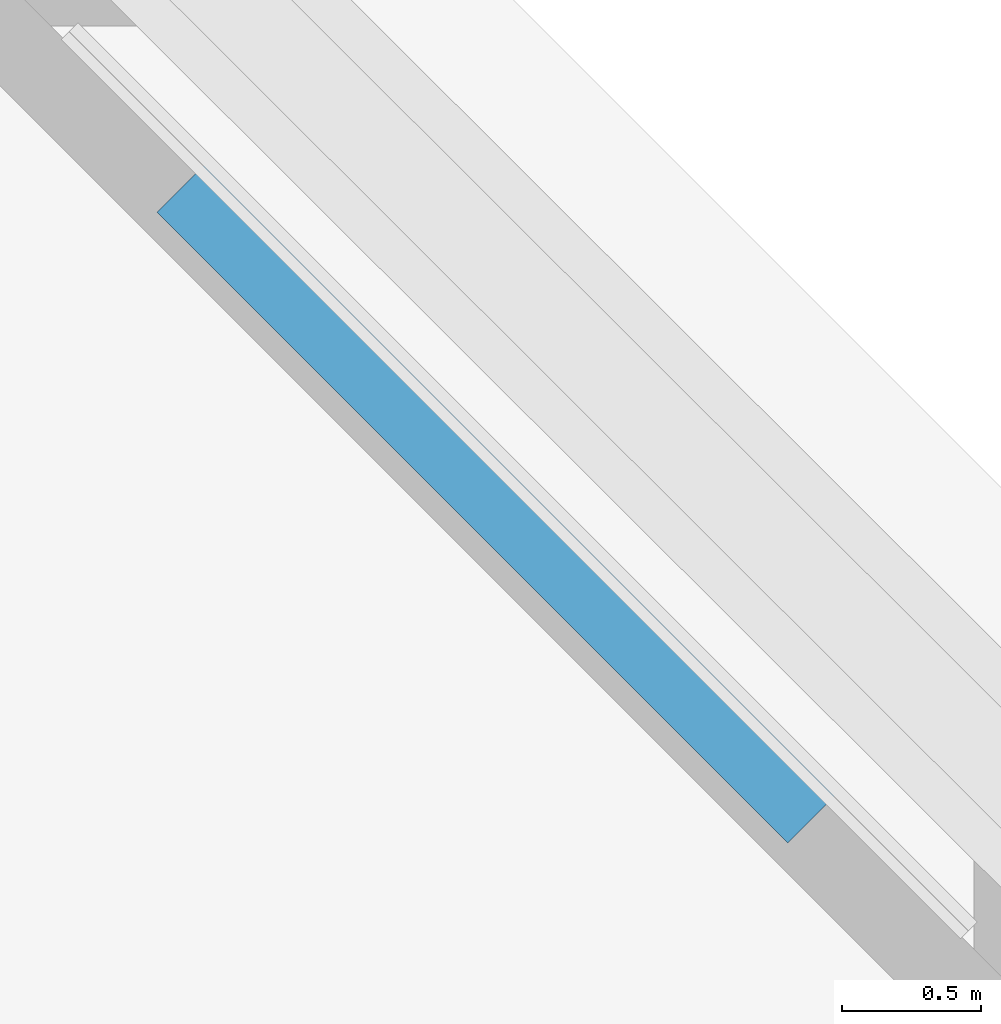
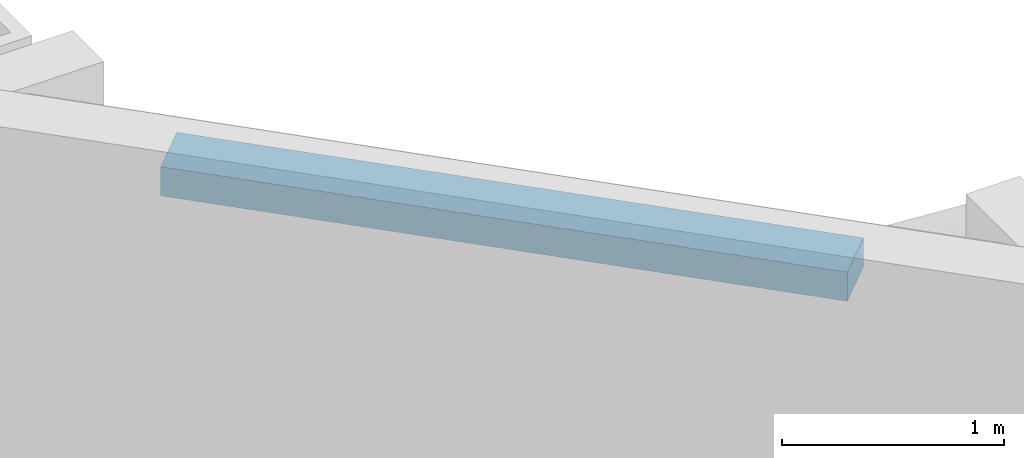
# One storey, part 5 of 7: 1 discrete accessory.
"""IFC4 building model written with IfcOpenShell, lengths in metres."""

from ifc_helpers import new_model, si_unit, direction, frame, origin, origin_2d, place, context, subcontext, project, spatial, rectangle, extrude, material, type_object, element, save


model = new_model("IFC4")

# Units and contexts
model_context = context("Model", 3, precision=1e-05, world=origin(), true_north=direction((0.0, 1.0)))
body_context = subcontext(model_context, "Body", "Model", "MODEL_VIEW")
ifc_project = project(units=[si_unit("LENGTHUNIT", "METRE"), si_unit("AREAUNIT", "SQUARE_METRE"), si_unit("VOLUMEUNIT", "CUBIC_METRE"), si_unit("PLANEANGLEUNIT", "RADIAN"), si_unit("MASSUNIT", "GRAM", prefix="KILO")], contexts=[model_context])

# Site, building, storey
site_placement = place(None, origin())
site = spatial("IfcSite", under=ifc_project, at=site_placement, CompositionType="ELEMENT")
building_placement = place(site_placement, origin())
building = spatial("IfcBuilding", under=site, at=building_placement, Name="Caelvoria Tower", CompositionType="ELEMENT")
storey_placement = place(building_placement, frame((0.0, 0.0, 31.60009765625)))
storey = spatial("IfcBuildingStorey", under=building, at=storey_placement, Name="L07", CompositionType="ELEMENT", Elevation=31.60009765625)

# Discrete accessory
ifc_material = material(Name="Anodised Bronze Stainless Bracket", Category="bronze")
discrete_accessory_type = type_object("IfcDiscreteAccessoryType", Name="Solar Screen Outrigger Support Bracket", PredefinedType="BRACKET", material=ifc_material)
discrete_accessory_placement = place(storey_placement, frame((67.57861328125, 50.778564453125, 2.85009765625), z_axis=(0.0, 0.0, 1.0), x_axis=(-0.707106781187, 0.707106781187, 0.0)))
element("IfcDiscreteAccessory", 1, at=discrete_accessory_placement, inside=storey, type_object=discrete_accessory_type, Name="Upper Screen Band Bracket L07-E3-00", PredefinedType="BRACKET", context=body_context, shape_type="SweptSolid", body=[
    extrude(rectangle(XDim=3.199951171875, YDim=0.280029296875, at=origin_2d()), origin(), (0.0, 0.0, 1.0), 0.159912109375),
])

save(model, "model.ifc")
